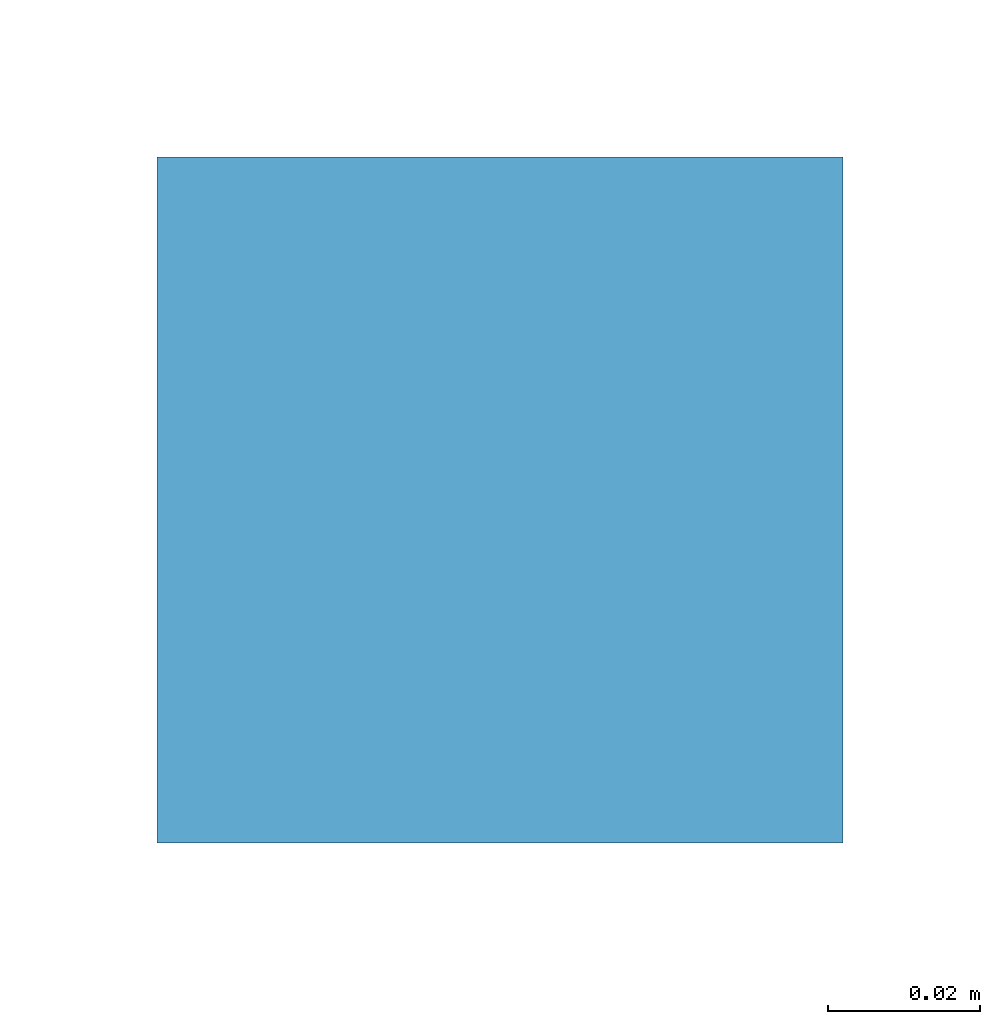
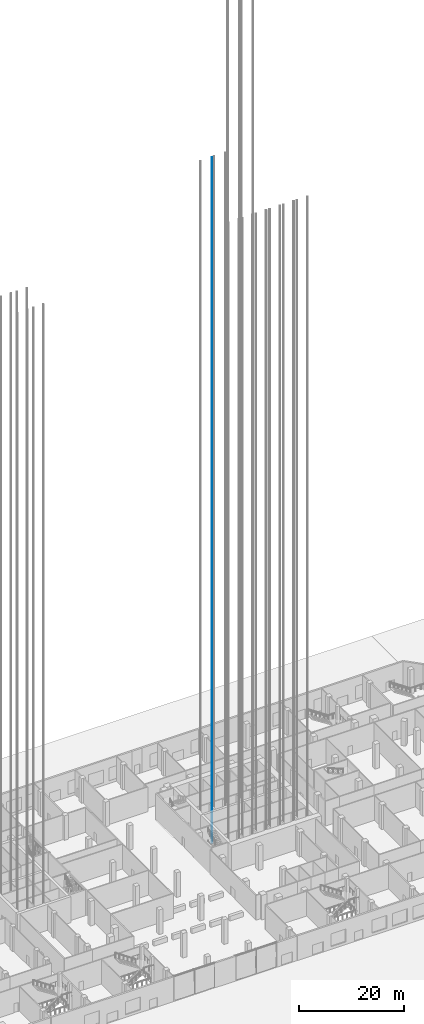
# One storey, part 25 of 55: 1 member.
"""IFC4 building model written with IfcOpenShell, lengths in metres."""

from ifc_helpers import new_model, si_unit, direction, frame, origin, origin_2d, place, context, subcontext, project, spatial, rectangle, extrude, material, material_profile, profile_set, type_object, element, save


model = new_model("IFC4")

# Units and contexts
model_context = context("Model", 3, precision=1e-05, world=origin(), true_north=direction((0.0, 1.0)))
body_context = subcontext(model_context, "Body", "Model", "MODEL_VIEW")
ifc_project = project(units=[si_unit("LENGTHUNIT", "METRE"), si_unit("AREAUNIT", "SQUARE_METRE"), si_unit("VOLUMEUNIT", "CUBIC_METRE"), si_unit("PLANEANGLEUNIT", "RADIAN"), si_unit("MASSUNIT", "GRAM", prefix="KILO")], contexts=[model_context])

# Site, building, storey
site_placement = place(None, origin())
site = spatial("IfcSite", under=ifc_project, at=site_placement, CompositionType="ELEMENT")
building_placement = place(site_placement, origin())
building = spatial("IfcBuilding", under=site, at=building_placement, Name="Cinnabar Reach Civic Tower", CompositionType="ELEMENT")
storey_placement = place(building_placement, origin())
storey = spatial("IfcBuildingStorey", under=building, at=storey_placement, Name="L00", CompositionType="ELEMENT", Elevation=0.0)

# Member
ifc_material = material(Name="Steel Q355B", Category="steel")
ifc_material_profile = material_profile(ifc_material, rectangle(XDim=0.09, YDim=0.09, at=origin_2d()), Name="T1 lift guide rail")
ifc_profile_set = profile_set([ifc_material_profile], Name="Steel Q355B")
member_type = type_object("IfcMemberType", Name="T1 lift guide rail", PredefinedType="USERDEFINED", material=ifc_profile_set)
member_placement = place(storey_placement, frame((7.28, 33.0, -2.5), z_axis=(0.0, 0.0, 1.0), x_axis=(1.0, 0.0, 0.0)))
element("IfcMember", 1, at=member_placement, inside=storey, type_object=member_type, Name="T1-SH1 guide rail 2", ObjectType="GUIDE RAIL", PredefinedType="USERDEFINED", context=body_context, shape_type="SweptSolid", body=[
    extrude(rectangle(XDim=0.09, YDim=0.09, at=origin_2d()), origin(), (0.0, 0.0, 1.0), 158.9),
])

save(model, "model.ifc")
